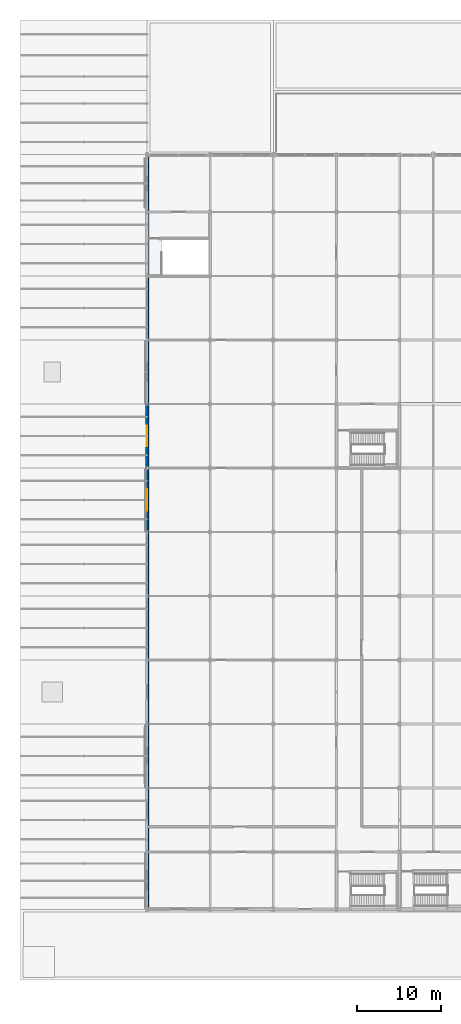
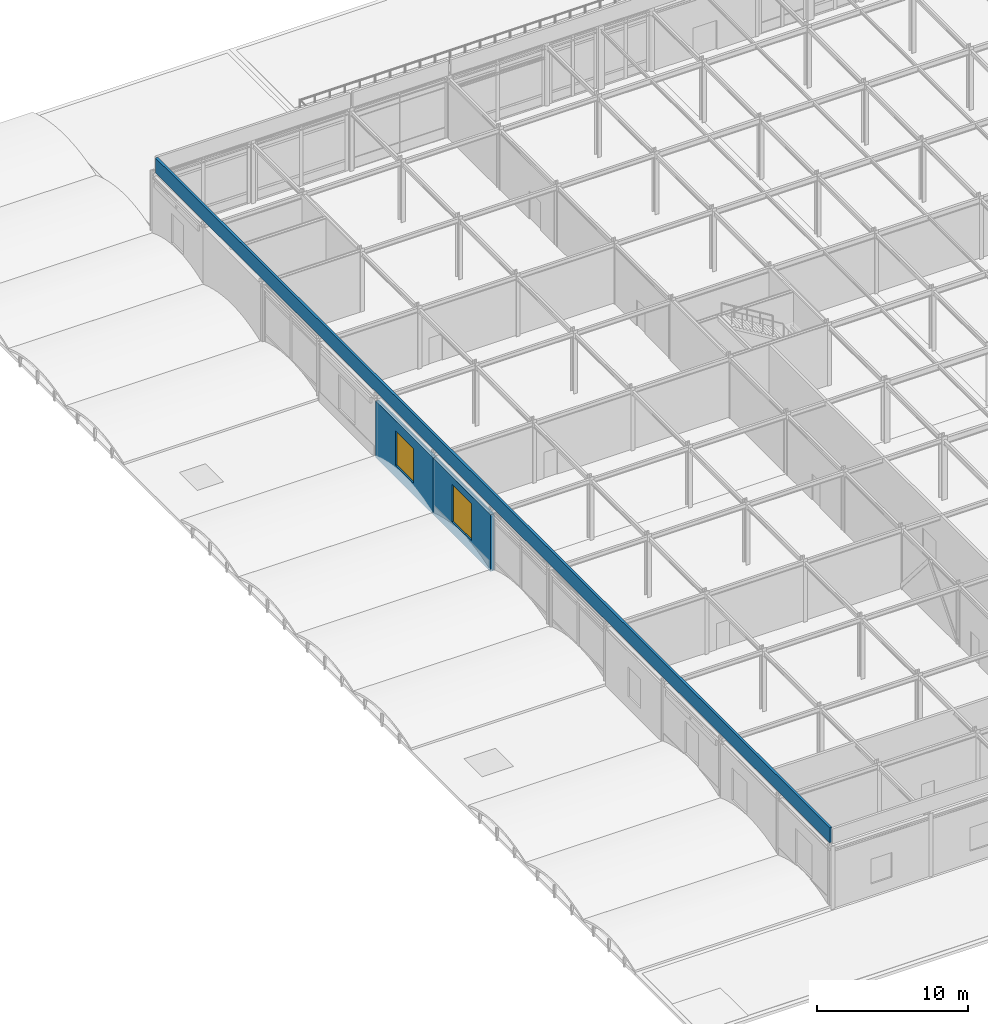
# One storey, part 95 of 113: 3 walls, 2 windows, 2 openings.
"""IFC4 building model written with IfcOpenShell, lengths in metres."""

from ifc_helpers import new_model, si_unit, direction, frame, frame_2d, origin, place, context, subcontext, project, spatial, rectangle, extrude, material, layer, layer_set, type_object, element, fill, save


model = new_model("IFC4")

# Units and contexts
model_context = context("Model", 3, precision=1e-05, world=origin(), true_north=direction((0.0, 1.0)))
body_context = subcontext(model_context, "Body", "Model", "MODEL_VIEW")
ifc_project = project(units=[si_unit("LENGTHUNIT", "METRE"), si_unit("AREAUNIT", "SQUARE_METRE"), si_unit("VOLUMEUNIT", "CUBIC_METRE"), si_unit("PLANEANGLEUNIT", "RADIAN"), si_unit("MASSUNIT", "GRAM", prefix="KILO")], contexts=[model_context])

# Site, building, storey
site_placement = place(None, origin())
site = spatial("IfcSite", under=ifc_project, at=site_placement, CompositionType="ELEMENT")
building_placement = place(site_placement, origin())
building = spatial("IfcBuilding", under=site, at=building_placement, Name="Shalkamar Park Central Library", CompositionType="ELEMENT")
storey_placement = place(building_placement, frame((0.0, 0.0, 5.39990234375)))
storey = spatial("IfcBuildingStorey", under=building, at=storey_placement, Name="L02", CompositionType="ELEMENT", Elevation=5.39990234375)

# Wall
ifc_material_1 = material(Name="Concrete C35/45 precast", Category="concrete")
ifc_layer_1 = layer(ifc_material_1, 0.179931640625)
ifc_layer_set_1 = layer_set([ifc_layer_1], Name="Concrete C35/45 precast")
wall_type_1 = type_object("IfcWallType", Name="Roof Parapet Wall 180", PredefinedType="PARAPET", material=ifc_layer_set_1)
wall_1_placement = place(storey_placement, frame((135.10009765625, 248.60009765625, 5.10009765625), z_axis=(0.0, 0.0, 1.0), x_axis=(0.0, 1.0, 0.0)))
element("IfcWall", 1, at=wall_1_placement, inside=storey, type_object=wall_type_1, Name="Roof Parapet Wall L02-13", PredefinedType="PARAPET", context=body_context, shape_type="SweptSolid", body=[
    extrude(rectangle(XDim=89.199951171875, YDim=0.179931640625, at=frame_2d((44.60009765625, 0.0))), origin(), (0.0, 0.0, 1.0), 1.199951171875),
])

# Wall, opening, window
ifc_material_2 = material(Name="Travertine insulated rainscreen", Category="masonry")
ifc_layer_2 = layer(ifc_material_2, 0.2900390625)
ifc_layer_set_2 = layer_set([ifc_layer_2], Name="TravertineTerracottaWall_290")
wall_type_2 = type_object("IfcWallType", Name="Travertine Terracotta Wall 290", PredefinedType="SOLIDWALL", material=ifc_layer_set_2)
wall_2_placement = place(storey_placement, frame((135.0, 293.2060546875, 0.0), z_axis=(0.0, 0.0, 1.0), x_axis=(0.0, 1.0, 0.0)))
wall_2 = element("IfcWall", 2, at=wall_2_placement, inside=storey, type_object=wall_type_2, Name="Exterior Facade Wall WL-EXT-L02-072", PredefinedType="SOLIDWALL", context=body_context, shape_type="SweptSolid", body=[
    extrude(rectangle(XDim=7.587890625, YDim=0.2900390625, at=frame_2d((3.7939453125, 0.0))), origin(), (0.0, 0.0, 1.0), 4.578125),
])
opening_1_placement = place(wall_2_placement, frame((2.493896484375, 0.0, 0.949951171875)))
opening_1 = element("IfcOpeningElement", 3, at=opening_1_placement, cuts=wall_2, Name="Opening WN-02", PredefinedType="OPENING", context=body_context, shape_type="SweptSolid", body=[
    extrude(rectangle(XDim=2.60009765625, YDim=3.0, at=frame_2d((1.300048828125, 1.5))), frame((0.0, 0.159912109375, 0.0), z_axis=(0.0, -1.0, 0.0), x_axis=(1.0, 0.0, 0.0)), (0.0, 0.0, 1.0), 0.31982421875),
])
ifc_material_3 = material(Name="Thermally broken aluminium and triple low-e glass", Category="glass")
window_type_1 = type_object("IfcWindowType", Name="Podium Window 2600x3000", PartitioningType="DOUBLE_PANEL_VERTICAL", PredefinedType="WINDOW", material=ifc_material_3)
window_1_placement = place(opening_1_placement, origin())
window_1 = element("IfcWindow", 4, at=window_1_placement, inside=storey, type_object=window_type_1, Name="Facade Window WN-L02-037", OverallHeight=3.0, OverallWidth=2.60009765625, PartitioningType="DOUBLE_PANEL_VERTICAL", PredefinedType="WINDOW", context=body_context, shape_type="SweptSolid", body=[
    extrude(rectangle(XDim=2.60009765625, YDim=3.0, at=frame_2d((1.300048828125, 1.5))), frame((0.0, 0.030029296875, 0.0), z_axis=(0.0, -1.0, 0.0), x_axis=(1.0, 0.0, 0.0)), (0.0, 0.0, 1.0), 0.06005859375),
])
fill(opening_1, window_1)

wall_3_placement = place(storey_placement, frame((135.0, 300.805908203125, 0.0), z_axis=(0.0, 0.0, 1.0), x_axis=(0.0, 1.0, 0.0)))
wall_3 = element("IfcWall", 5, at=wall_3_placement, inside=storey, type_object=wall_type_2, Name="Exterior Facade Wall WL-EXT-L02-073", PredefinedType="SOLIDWALL", context=body_context, shape_type="SweptSolid", body=[
    extrude(rectangle(XDim=7.588134765625, YDim=0.2900390625, at=frame_2d((3.7939453125, 0.0))), origin(), (0.0, 0.0, 1.0), 4.578125),
])
opening_2_placement = place(wall_3_placement, frame((2.593994140625, 0.0, 0.949951171875)))
opening_2 = element("IfcOpeningElement", 6, at=opening_2_placement, cuts=wall_3, Name="Opening WN-03", PredefinedType="OPENING", context=body_context, shape_type="SweptSolid", body=[
    extrude(rectangle(XDim=2.39990234375, YDim=2.800048828125, at=frame_2d((1.199951171875, 1.39990234375))), frame((0.0, 0.159912109375, 0.0), z_axis=(0.0, -1.0, 0.0), x_axis=(1.0, 0.0, 0.0)), (0.0, 0.0, 1.0), 0.31982421875),
])
window_type_2 = type_object("IfcWindowType", Name="Podium Window 2400x2800", PartitioningType="DOUBLE_PANEL_VERTICAL", PredefinedType="WINDOW", material=ifc_material_3)
window_2_placement = place(opening_2_placement, origin())
window_2 = element("IfcWindow", 7, at=window_2_placement, inside=storey, type_object=window_type_2, Name="Facade Window WN-L02-038", OverallHeight=2.800048828125, OverallWidth=2.39990234375, PartitioningType="DOUBLE_PANEL_VERTICAL", PredefinedType="WINDOW", context=body_context, shape_type="SweptSolid", body=[
    extrude(rectangle(XDim=2.39990234375, YDim=2.800048828125, at=frame_2d((1.199951171875, 1.39990234375))), frame((0.0, 0.030029296875, 0.0), z_axis=(0.0, -1.0, 0.0), x_axis=(1.0, 0.0, 0.0)), (0.0, 0.0, 1.0), 0.06005859375),
])
fill(opening_2, window_2)

save(model, "model.ifc")
